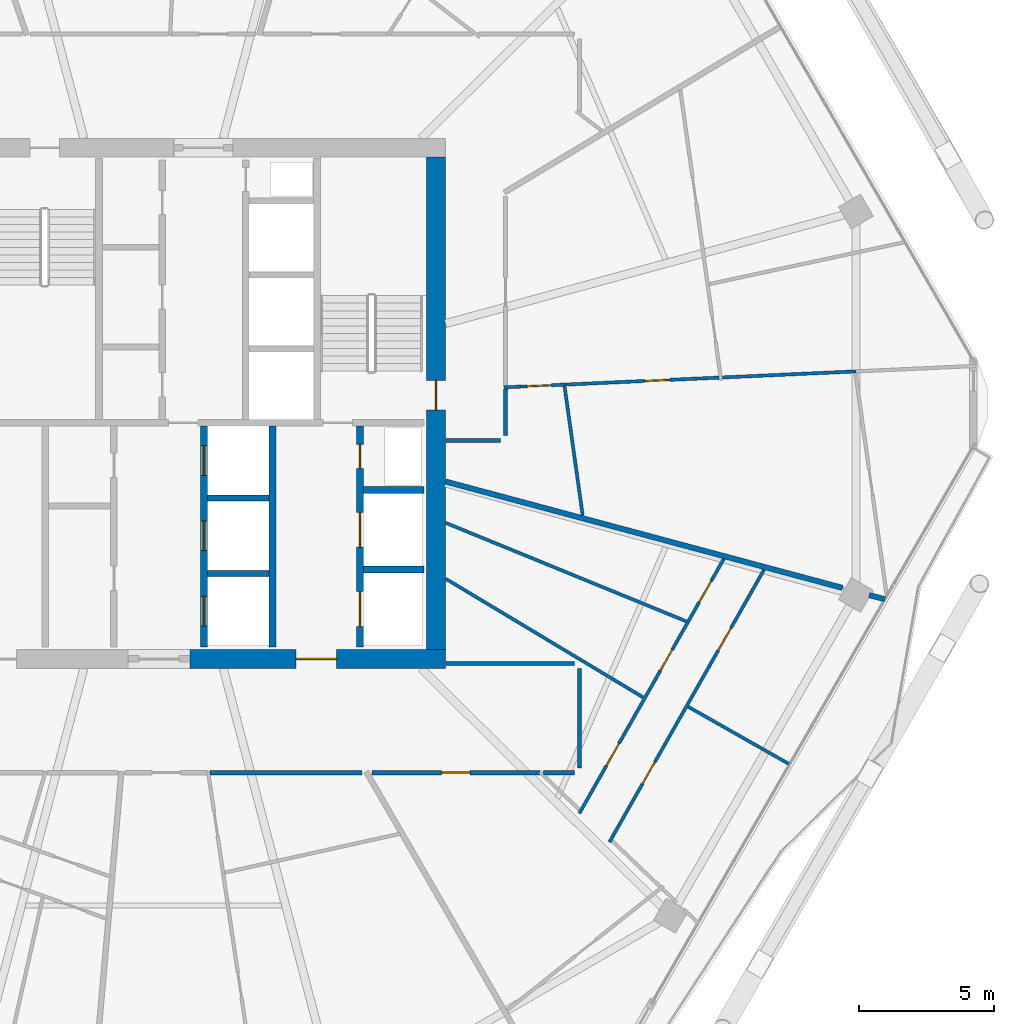
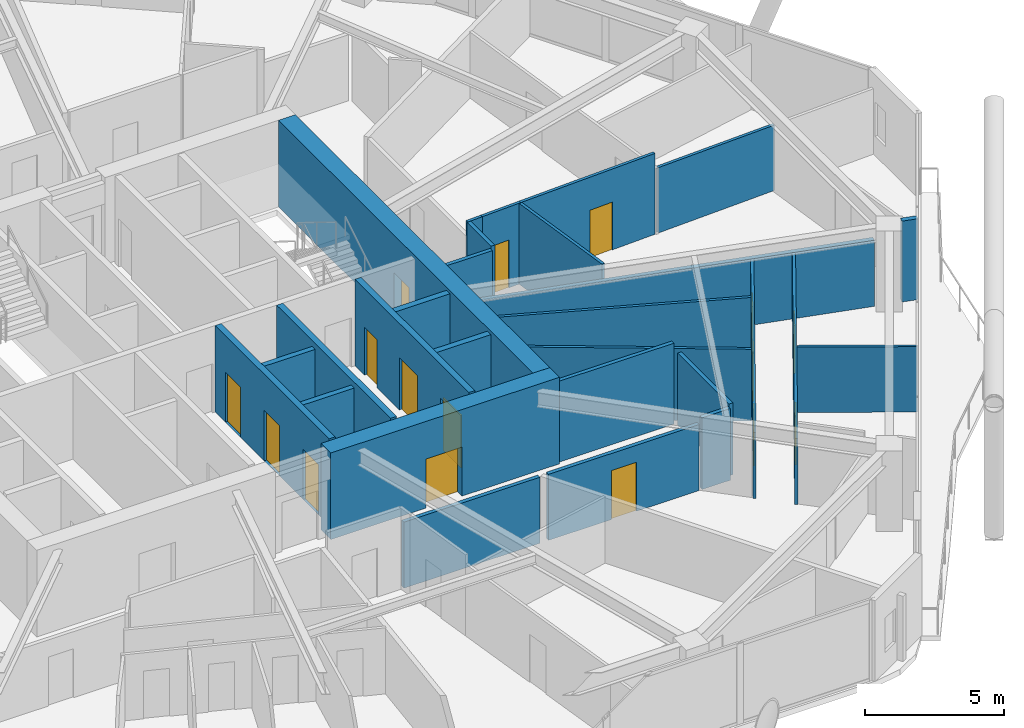
# One storey, part 22 of 28: 28 walls, 16 doors, 16 openings.
"""IFC4 building model written with IfcOpenShell, lengths in metres."""

from ifc_helpers import new_model, si_unit, direction, frame, frame_2d, origin, place, context, subcontext, project, spatial, rectangle, extrude, material, layer, layer_set, type_object, element, fill, save


model = new_model("IFC4")

# Units and contexts
model_context = context("Model", 3, precision=1e-05, world=origin(), true_north=direction((0.0, 1.0)))
body_context = subcontext(model_context, "Body", "Model", "MODEL_VIEW")
ifc_project = project(units=[si_unit("LENGTHUNIT", "METRE"), si_unit("AREAUNIT", "SQUARE_METRE"), si_unit("VOLUMEUNIT", "CUBIC_METRE"), si_unit("PLANEANGLEUNIT", "RADIAN"), si_unit("MASSUNIT", "GRAM", prefix="KILO")], contexts=[model_context])

# Site, building, storey
site_placement = place(None, origin())
site = spatial("IfcSite", under=ifc_project, at=site_placement, CompositionType="ELEMENT")
building_placement = place(site_placement, origin())
building = spatial("IfcBuilding", under=site, at=building_placement, Name="Zuhravey Tower", CompositionType="ELEMENT")
storey_placement = place(building_placement, frame((0.0, 0.0, 199.800048828125)))
storey = spatial("IfcBuildingStorey", under=building, at=storey_placement, Name="L50", CompositionType="ELEMENT", Elevation=199.800048828125)

# Wall, opening, door
ifc_material_1 = material(Name="Concrete C60/75", Category="concrete")
ifc_layer_1 = layer(ifc_material_1, 0.699951171875)
ifc_layer_set_1 = layer_set([ifc_layer_1], Name="Concrete C60/75")
wall_type_1 = type_object("IfcWallType", Name="Core Shear Wall 700", PredefinedType="SHEAR", material=ifc_layer_set_1)
wall_1_placement = place(storey_placement, frame((37.35009765625, 22.5, 0.0), z_axis=(0.0, 0.0, 1.0), x_axis=(1.0, 0.0, 0.0)))
wall_1 = element("IfcWall", 1, at=wall_1_placement, inside=storey, type_object=wall_type_1, Name="L50 South-East Core Shear Wall CW70", PredefinedType="SHEAR", context=body_context, shape_type="SweptSolid", body=[
    extrude(rectangle(XDim=9.5, YDim=0.699951171875, at=frame_2d((4.75, 0.0))), origin(), (0.0, 0.0, 1.0), 3.800048828125),
])
opening_1_placement = place(wall_1_placement, frame((3.949951171875, 0.0, 0.0)))
opening_1 = element("IfcOpeningElement", 2, at=opening_1_placement, cuts=wall_1, Name="Opening FFD1", PredefinedType="OPENING", context=body_context, shape_type="SweptSolid", body=[
    extrude(rectangle(XDim=1.5, YDim=2.14990234375, at=frame_2d((0.75, 1.074951171875))), frame((0.0, 0.362060546875, 0.0), z_axis=(0.0, -1.0, 0.0), x_axis=(1.0, 0.0, 0.0)), (0.0, 0.0, 1.0), 0.723876953125),
])
ifc_material_2 = material(Name="Galvanised fire-rated steel leaf", Category="steel")
door_type_1 = type_object("IfcDoorType", Name="Firefighting Lobby Double Door 1500x2150", OperationType="DOUBLE_DOOR_SINGLE_SWING", PredefinedType="DOOR", material=ifc_material_2)
door_1_placement = place(opening_1_placement, origin())
door_1 = element("IfcDoor", 3, at=door_1_placement, inside=storey, type_object=door_type_1, Name="L50 Firefighting Lobby East Door", OperationType="DOUBLE_DOOR_SINGLE_SWING", OverallHeight=2.14990234375, OverallWidth=1.5, PredefinedType="DOOR", context=body_context, shape_type="SweptSolid", body=[
    extrude(rectangle(XDim=1.5, YDim=2.14990234375, at=frame_2d((0.75, 1.074951171875))), frame((0.0, 0.02490234375, 0.0), z_axis=(0.0, -1.0, 0.0), x_axis=(1.0, 0.0, 0.0)), (0.0, 0.0, 1.0), 0.050048828125),
])
fill(opening_1, door_1)

wall_2_placement = place(storey_placement, frame((46.5, 22.85009765625, 0.0), z_axis=(0.0, 0.0, 1.0), x_axis=(0.0, 1.0, 0.0)))
wall_2 = element("IfcWall", 4, at=wall_2_placement, inside=storey, type_object=wall_type_1, Name="L50 East Core Shear Wall CW70", PredefinedType="SHEAR", context=body_context, shape_type="SweptSolid", body=[
    extrude(rectangle(XDim=18.2998046875, YDim=0.699951171875, at=frame_2d((9.14990234375, 0.0))), origin(), (0.0, 0.0, 1.0), 3.800048828125),
])
opening_2_placement = place(wall_2_placement, frame((8.89990234375, 0.0, 0.0)))
opening_2 = element("IfcOpeningElement", 5, at=opening_2_placement, cuts=wall_2, Name="Opening STD1", PredefinedType="OPENING", context=body_context, shape_type="SweptSolid", body=[
    extrude(rectangle(XDim=1.10009765625, YDim=2.14990234375, at=frame_2d((0.550048828125, 1.074951171875))), frame((0.0, 0.362060546875, 0.0), z_axis=(0.0, -1.0, 0.0), x_axis=(1.0, 0.0, 0.0)), (0.0, 0.0, 1.0), 0.723876953125),
])
door_type_2 = type_object("IfcDoorType", Name="Protected Stair Fire Door 1100x2150", OperationType="NOTDEFINED", PredefinedType="USERDEFINED", material=ifc_material_2)
door_2_placement = place(opening_2_placement, origin())
door_2 = element("IfcDoor", 6, at=door_2_placement, inside=storey, type_object=door_type_2, Name="L50 Stair ST2 Door", ObjectType="EXITDOOR", OperationType="SINGLE_SWING_RIGHT", OverallHeight=2.14990234375, OverallWidth=1.10009765625, PredefinedType="USERDEFINED", context=body_context, shape_type="SweptSolid", body=[
    extrude(rectangle(XDim=1.10009765625, YDim=2.14990234375, at=frame_2d((0.550048828125, 1.074951171875))), frame((0.0, 0.02490234375, 0.0), z_axis=(0.0, -1.0, 0.0), x_axis=(1.0, 0.0, 0.0)), (0.0, 0.0, 1.0), 0.050048828125),
])
fill(opening_2, door_2)

ifc_material_3 = material(Name="Gypsum fire-rated stud partition")
ifc_layer_2 = layer(ifc_material_3, 0.159912109375)
ifc_layer_set_2 = layer_set([ifc_layer_2], Name="Gypsum fire-rated stud partition")
wall_type_2 = type_object("IfcWallType", Name="Corridor Fire Partition 160", PredefinedType="PARTITIONING", material=ifc_layer_set_2)
wall_3_placement = place(storey_placement, frame((44.11083984375, 18.27001953125, 0.0), z_axis=(0.0, 0.0, 1.0), x_axis=(1.0, 0.0, 0.0)))
wall_3 = element("IfcWall", 7, at=wall_3_placement, inside=storey, type_object=wall_type_2, Name="L50 IW16 Partition 050", PredefinedType="PARTITIONING", context=body_context, shape_type="SweptSolid", body=[
    extrude(rectangle(XDim=6.248046875, YDim=0.159912109375, at=frame_2d((3.1240234375, 0.0))), origin(), (0.0, 0.0, 1.0), 2.89990234375),
])
opening_3_placement = place(wall_3_placement, frame((2.59912109375, 0.0, 0.0)))
opening_3 = element("IfcOpeningElement", 8, at=opening_3_placement, cuts=wall_3, Name="Opening APD1", PredefinedType="OPENING", context=body_context, shape_type="SweptSolid", body=[
    extrude(rectangle(XDim=1.050048828125, YDim=2.14990234375, at=frame_2d((0.52490234375, 1.074951171875))), frame((0.0, 0.092041015625, 0.0), z_axis=(0.0, -1.0, 0.0), x_axis=(1.0, 0.0, 0.0)), (0.0, 0.0, 1.0), 0.183837890625),
])
ifc_material_4 = material(Name="Solid-core oak fire-rated leaf")
door_type_3 = type_object("IfcDoorType", Name="Apartment Entrance Fire Door 1050x2150", OperationType="NOTDEFINED", PredefinedType="DOOR", material=ifc_material_4)
door_3_placement = place(opening_3_placement, frame((1.050048828125, 0.0, 0.0), z_axis=(0.0, 0.0, 1.0), x_axis=(-1.0, 0.0, 0.0)))
door_3 = element("IfcDoor", 9, at=door_3_placement, inside=storey, type_object=door_type_3, Name="L50 Door 050.1", OperationType="SINGLE_SWING_LEFT", OverallHeight=2.14990234375, OverallWidth=1.050048828125, PredefinedType="DOOR", context=body_context, shape_type="SweptSolid", body=[
    extrude(rectangle(XDim=1.050048828125, YDim=2.14990234375, at=frame_2d((0.52490234375, 1.074951171875))), frame((0.0, 0.02490234375, 0.0), z_axis=(0.0, -1.0, 0.0), x_axis=(1.0, 0.0, 0.0)), (0.0, 0.0, 1.0), 0.050048828125),
])
fill(opening_3, door_3)

# Walls
wall_4_placement = place(storey_placement, frame((38.10107421875, 18.27001953125, 0.0), z_axis=(0.0, 0.0, 1.0), x_axis=(1.0, 0.0, 0.0)))
element("IfcWall", 10, at=wall_4_placement, inside=storey, type_object=wall_type_2, Name="L50 IW16 Partition 134", PredefinedType="PARTITIONING", context=body_context, shape_type="SweptSolid", body=[
    extrude(rectangle(XDim=5.64404296875, YDim=0.159912109375, at=frame_2d((2.822021484375, 0.0))), origin(), (0.0, 0.0, 1.0), 2.89990234375),
])
wall_5_placement = place(storey_placement, frame((51.64990234375, 22.330078125, 0.0), z_axis=(0.0, 0.0, 1.0), x_axis=(-1.0, 0.0, 0.0)))
element("IfcWall", 11, at=wall_5_placement, inside=storey, type_object=wall_type_2, Name="L50 IW16 Partition 135", PredefinedType="PARTITIONING", context=body_context, shape_type="SweptSolid", body=[
    extrude(rectangle(XDim=4.77978515625, YDim=0.159912109375, at=frame_2d((2.389892578125, 0.0))), origin(), (0.0, 0.0, 1.0), 3.550048828125),
])
wall_6_placement = place(storey_placement, frame((51.830078125, 18.449951171875, 0.0), z_axis=(0.0, 0.0, 1.0), x_axis=(0.0, 1.0, 0.0)))
element("IfcWall", 12, at=wall_6_placement, inside=storey, type_object=wall_type_2, Name="L50 IW16 Partition 136", PredefinedType="PARTITIONING", context=body_context, shape_type="SweptSolid", body=[
    extrude(rectangle(XDim=3.699951171875, YDim=0.159912109375, at=frame_2d((1.85009765625, 0.0))), origin(), (0.0, 0.0, 1.0), 3.14990234375),
])
wall_7_placement = place(storey_placement, frame((50.486083984375, 18.27001953125, 0.0), z_axis=(0.0, 0.0, 1.0), x_axis=(1.0, 0.0, 0.0)))
element("IfcWall", 13, at=wall_7_placement, inside=storey, type_object=wall_type_2, Name="L50 IW16 Partition 137", PredefinedType="PARTITIONING", context=body_context, shape_type="SweptSolid", body=[
    extrude(rectangle(XDim=1.163818359375, YDim=0.159912109375, at=frame_2d((0.58203125, 0.0))), origin(), (0.0, 0.0, 1.0), 3.14990234375),
])
wall_8_placement = place(storey_placement, frame((46.8701171875, 30.6201171875, 0.0), z_axis=(0.0, 0.0, 1.0), x_axis=(1.0, 0.0, 0.0)))
element("IfcWall", 14, at=wall_8_placement, inside=storey, type_object=wall_type_2, Name="L50 IW16 Partition 138", PredefinedType="PARTITIONING", context=body_context, shape_type="SweptSolid", body=[
    extrude(rectangle(XDim=2.02978515625, YDim=0.159912109375, at=frame_2d((1.014892578125, 0.0))), origin(), (0.0, 0.0, 1.0), 3.550048828125),
])
wall_9_placement = place(storey_placement, frame((49.080078125, 30.800048828125, 0.0), z_axis=(0.0, 0.0, 1.0), x_axis=(0.0, 1.0, 0.0)))
element("IfcWall", 15, at=wall_9_placement, inside=storey, type_object=wall_type_2, Name="L50 IW16 Partition 139", PredefinedType="PARTITIONING", context=body_context, shape_type="SweptSolid", body=[
    extrude(rectangle(XDim=1.725830078125, YDim=0.159912109375, at=frame_2d((0.86279296875, 0.0))), origin(), (0.0, 0.0, 1.0), 3.550048828125),
])

# Wall, openings, doors
ifc_material_5 = material(Name="Concrete C50/60", Category="concrete")
ifc_layer_3 = layer(ifc_material_5, 0.25)
ifc_layer_set_3 = layer_set([ifc_layer_3], Name="Concrete C50/60")
wall_type_3 = type_object("IfcWallType", Name="Firefighting Shaft & Stair Wall 250", PredefinedType="SOLIDWALL", material=ifc_layer_set_3)
wall_10_placement = place(storey_placement, frame((37.875, 22.949951171875, 0.0), z_axis=(0.0, 0.0, 1.0), x_axis=(0.0, 1.0, 0.0)))
wall_10 = element("IfcWall", 16, at=wall_10_placement, inside=storey, type_object=wall_type_3, Name="L50 FW25 Shaft Wall 014", PredefinedType="SOLIDWALL", context=body_context, shape_type="SweptSolid", body=[
    extrude(rectangle(XDim=8.199951171875, YDim=0.25, at=frame_2d((4.10009765625, 0.0))), origin(), (0.0, 0.0, 1.0), 3.800048828125),
])
opening_4_placement = place(wall_10_placement, frame((0.77490234375, 0.0, 0.0)))
opening_4 = element("IfcOpeningElement", 17, at=opening_4_placement, cuts=wall_10, Name="Opening LD1", PredefinedType="OPENING", context=body_context, shape_type="SweptSolid", body=[
    extrude(rectangle(XDim=1.10009765625, YDim=2.199951171875, at=frame_2d((0.550048828125, 1.10009765625))), frame((0.0, 0.136962890625, 0.0), z_axis=(0.0, -1.0, 0.0), x_axis=(1.0, 0.0, 0.0)), (0.0, 0.0, 1.0), 0.27392578125),
])
opening_5_placement = place(wall_10_placement, frame((3.574951171875, 0.0, 0.0)))
opening_5 = element("IfcOpeningElement", 18, at=opening_5_placement, cuts=wall_10, Name="Opening LD1", PredefinedType="OPENING", context=body_context, shape_type="SweptSolid", body=[
    extrude(rectangle(XDim=1.10009765625, YDim=2.199951171875, at=frame_2d((0.550048828125, 1.10009765625))), frame((0.0, 0.136962890625, 0.0), z_axis=(0.0, -1.0, 0.0), x_axis=(1.0, 0.0, 0.0)), (0.0, 0.0, 1.0), 0.27392578125),
])
opening_6_placement = place(wall_10_placement, frame((6.375, 0.0, 0.0)))
opening_6 = element("IfcOpeningElement", 19, at=opening_6_placement, cuts=wall_10, Name="Opening LD1", PredefinedType="OPENING", context=body_context, shape_type="SweptSolid", body=[
    extrude(rectangle(XDim=1.10009765625, YDim=2.199951171875, at=frame_2d((0.550048828125, 1.10009765625))), frame((0.0, 0.136962890625, 0.0), z_axis=(0.0, -1.0, 0.0), x_axis=(1.0, 0.0, 0.0)), (0.0, 0.0, 1.0), 0.27392578125),
])
ifc_material_6 = material(Name="Brushed stainless steel", Category="steel")
door_type_4 = type_object("IfcDoorType", Name="Lift Landing Sliding Door 1100x2200", OperationType="DOUBLE_DOOR_SLIDING", PredefinedType="DOOR", material=ifc_material_6)
door_4_placement = place(opening_4_placement, origin())
door_4 = element("IfcDoor", 20, at=door_4_placement, inside=storey, type_object=door_type_4, Name="L50 Lift PL4 Landing Door", OperationType="DOUBLE_DOOR_SLIDING", OverallHeight=2.199951171875, OverallWidth=1.10009765625, PredefinedType="DOOR", context=body_context, shape_type="SweptSolid", body=[
    extrude(rectangle(XDim=1.10009765625, YDim=2.199951171875, at=frame_2d((0.550048828125, 1.10009765625))), frame((0.0, 0.02490234375, 0.0), z_axis=(0.0, -1.0, 0.0), x_axis=(1.0, 0.0, 0.0)), (0.0, 0.0, 1.0), 0.050048828125),
])
fill(opening_4, door_4)
door_5_placement = place(opening_5_placement, origin())
door_5 = element("IfcDoor", 21, at=door_5_placement, inside=storey, type_object=door_type_4, Name="L50 Lift PL5 Landing Door", OperationType="DOUBLE_DOOR_SLIDING", OverallHeight=2.199951171875, OverallWidth=1.10009765625, PredefinedType="DOOR", context=body_context, shape_type="SweptSolid", body=[
    extrude(rectangle(XDim=1.10009765625, YDim=2.199951171875, at=frame_2d((0.550048828125, 1.10009765625))), frame((0.0, 0.02490234375, 0.0), z_axis=(0.0, -1.0, 0.0), x_axis=(1.0, 0.0, 0.0)), (0.0, 0.0, 1.0), 0.050048828125),
])
fill(opening_5, door_5)
door_6_placement = place(opening_6_placement, origin())
door_6 = element("IfcDoor", 22, at=door_6_placement, inside=storey, type_object=door_type_4, Name="L50 Lift PL6 Landing Door", OperationType="DOUBLE_DOOR_SLIDING", OverallHeight=2.199951171875, OverallWidth=1.10009765625, PredefinedType="DOOR", context=body_context, shape_type="SweptSolid", body=[
    extrude(rectangle(XDim=1.10009765625, YDim=2.199951171875, at=frame_2d((0.550048828125, 1.10009765625))), frame((0.0, 0.02490234375, 0.0), z_axis=(0.0, -1.0, 0.0), x_axis=(1.0, 0.0, 0.0)), (0.0, 0.0, 1.0), 0.050048828125),
])
fill(opening_6, door_6)

# Walls
wall_11_placement = place(storey_placement, frame((40.425048828125, 22.949951171875, 0.0), z_axis=(0.0, 0.0, 1.0), x_axis=(0.0, 1.0, 0.0)))
element("IfcWall", 23, at=wall_11_placement, inside=storey, type_object=wall_type_3, Name="L50 FW25 Shaft Wall 015", PredefinedType="SOLIDWALL", context=body_context, shape_type="SweptSolid", body=[
    extrude(rectangle(XDim=8.199951171875, YDim=0.25, at=frame_2d((4.10009765625, 0.0))), origin(), (0.0, 0.0, 1.0), 3.800048828125),
])
for number, where, z_axis, x_axis, name in (
    (24, (43.800048828125, 25.824951171875, 0.0), (0.0, 0.0, 1.0), (1.0, 0.0, 0.0), "L50 FW25 Shaft Wall 016"),
    (25, (43.800048828125, 28.77490234375, 0.0), (0.0, 0.0, 1.0), (1.0, 0.0, 0.0), "L50 FW25 Shaft Wall 017"),
):
    element("IfcWall", number, at=place(storey_placement, frame(where, z_axis=z_axis, x_axis=x_axis)), inside=storey, type_object=wall_type_3, Name=name, PredefinedType="SOLIDWALL", context=body_context, shape_type="SweptSolid", body=[
        extrude(rectangle(XDim=2.25, YDim=0.25, at=frame_2d((1.125, 0.0))), origin(), (0.0, 0.0, 1.0), 3.800048828125),
    ])

# Wall, openings, doors
wall_12_placement = place(storey_placement, frame((43.675048828125, 22.949951171875, 0.0), z_axis=(0.0, 0.0, 1.0), x_axis=(0.0, 1.0, 0.0)))
wall_12 = element("IfcWall", 26, at=wall_12_placement, inside=storey, type_object=wall_type_3, Name="L50 FW25 Shaft Wall 018", PredefinedType="SOLIDWALL", context=body_context, shape_type="SweptSolid", body=[
    extrude(rectangle(XDim=8.199951171875, YDim=0.25, at=frame_2d((4.10009765625, 0.0))), origin(), (0.0, 0.0, 1.0), 3.800048828125),
])
opening_7_placement = place(wall_12_placement, frame((0.75, 0.0, 0.0)))
opening_7 = element("IfcOpeningElement", 27, at=opening_7_placement, cuts=wall_12, Name="Opening LD2", PredefinedType="OPENING", context=body_context, shape_type="SweptSolid", body=[
    extrude(rectangle(XDim=1.300048828125, YDim=2.300048828125, at=frame_2d((0.64990234375, 1.14990234375))), frame((0.0, 0.136962890625, 0.0), z_axis=(0.0, -1.0, 0.0), x_axis=(1.0, 0.0, 0.0)), (0.0, 0.0, 1.0), 0.27392578125),
])
opening_8_placement = place(wall_12_placement, frame((3.699951171875, 0.0, 0.0)))
opening_8 = element("IfcOpeningElement", 28, at=opening_8_placement, cuts=wall_12, Name="Opening LD2", PredefinedType="OPENING", context=body_context, shape_type="SweptSolid", body=[
    extrude(rectangle(XDim=1.300048828125, YDim=2.300048828125, at=frame_2d((0.64990234375, 1.14990234375))), frame((0.0, 0.136962890625, 0.0), z_axis=(0.0, -1.0, 0.0), x_axis=(1.0, 0.0, 0.0)), (0.0, 0.0, 1.0), 0.27392578125),
])
opening_9_placement = place(wall_12_placement, frame((6.6201171875, 0.0, 0.0)))
opening_9 = element("IfcOpeningElement", 29, at=opening_9_placement, cuts=wall_12, Name="Opening RSD1", PredefinedType="OPENING", context=body_context, shape_type="SweptSolid", body=[
    extrude(rectangle(XDim=0.89990234375, YDim=2.10009765625, at=frame_2d((0.449951171875, 1.050048828125))), frame((0.0, 0.136962890625, 0.0), z_axis=(0.0, -1.0, 0.0), x_axis=(1.0, 0.0, 0.0)), (0.0, 0.0, 1.0), 0.27392578125),
])
door_type_5 = type_object("IfcDoorType", Name="Freight & Stretcher Lift Sliding Door 1300x2300", OperationType="DOUBLE_DOOR_SLIDING", PredefinedType="DOOR", material=ifc_material_6)
door_7_placement = place(opening_7_placement, origin())
door_7 = element("IfcDoor", 30, at=door_7_placement, inside=storey, type_object=door_type_5, Name="L50 Lift FF2 Landing Door", OperationType="DOUBLE_DOOR_SLIDING", OverallHeight=2.300048828125, OverallWidth=1.300048828125, PredefinedType="DOOR", context=body_context, shape_type="SweptSolid", body=[
    extrude(rectangle(XDim=1.300048828125, YDim=2.300048828125, at=frame_2d((0.64990234375, 1.14990234375))), frame((0.0, 0.02490234375, 0.0), z_axis=(0.0, -1.0, 0.0), x_axis=(1.0, 0.0, 0.0)), (0.0, 0.0, 1.0), 0.050048828125),
])
fill(opening_7, door_7)
door_8_placement = place(opening_8_placement, origin())
door_8 = element("IfcDoor", 31, at=door_8_placement, inside=storey, type_object=door_type_5, Name="L50 Lift SV1 Landing Door", OperationType="DOUBLE_DOOR_SLIDING", OverallHeight=2.300048828125, OverallWidth=1.300048828125, PredefinedType="DOOR", context=body_context, shape_type="SweptSolid", body=[
    extrude(rectangle(XDim=1.300048828125, YDim=2.300048828125, at=frame_2d((0.64990234375, 1.14990234375))), frame((0.0, 0.02490234375, 0.0), z_axis=(0.0, -1.0, 0.0), x_axis=(1.0, 0.0, 0.0)), (0.0, 0.0, 1.0), 0.050048828125),
])
fill(opening_8, door_8)
ifc_material_7 = material(Name="Galvanised fire-rated steel access leaf", Category="steel")
door_type_6 = type_object("IfcDoorType", Name="Riser & Shaft Access Fire Door 900x2100", OperationType="NOTDEFINED", PredefinedType="DOOR", material=ifc_material_7)
door_9_placement = place(opening_9_placement, origin())
door_9 = element("IfcDoor", 32, at=door_9_placement, inside=storey, type_object=door_type_6, Name="L50 Plumbing Riser Door", OperationType="SINGLE_SWING_LEFT", OverallHeight=2.10009765625, OverallWidth=0.89990234375, PredefinedType="DOOR", context=body_context, shape_type="SweptSolid", body=[
    extrude(rectangle(XDim=0.89990234375, YDim=2.10009765625, at=frame_2d((0.449951171875, 1.050048828125))), frame((0.0, 0.02490234375, 0.0), z_axis=(0.0, -1.0, 0.0), x_axis=(1.0, 0.0, 0.0)), (0.0, 0.0, 1.0), 0.050048828125),
])
fill(opening_9, door_9)

# Walls
ifc_material_8 = material(Name="Gypsum double-stud party assembly")
ifc_layer_4 = layer(ifc_material_8, 0.199951171875)
ifc_layer_set_4 = layer_set([ifc_layer_4], Name="Gypsum double-stud party assembly")
wall_type_4 = type_object("IfcWallType", Name="Inter-Tenancy Party Wall 200", PredefinedType="PARTITIONING", material=ifc_layer_set_4)
wall_13_placement = place(storey_placement, frame((46.85791015625, 29.090576171875, 0.0), z_axis=(0.0, 0.0, 1.0), x_axis=(0.965927861862, -0.25881144812, 0.0)))
element("IfcWall", 33, at=wall_13_placement, inside=storey, type_object=wall_type_4, Name="L50 IW20 Partition 113", PredefinedType="PARTITIONING", context=body_context, shape_type="SweptSolid", body=[
    extrude(rectangle(XDim=15.275146484375, YDim=0.199951171875, at=frame_2d((7.6376953125, 0.0))), origin(), (0.0, 0.0, 1.0), 2.89990234375),
])
wall_14_placement = place(storey_placement, frame((62.6025390625, 24.871826171875, 0.0), z_axis=(0.0, 0.0, 1.0), x_axis=(0.965944425699, -0.258749621182, 0.0)))
element("IfcWall", 34, at=wall_14_placement, inside=storey, type_object=wall_type_4, Name="L50 IW20 Partition 114", PredefinedType="PARTITIONING", context=body_context, shape_type="SweptSolid", body=[
    extrude(rectangle(XDim=0.60107421875, YDim=0.199951171875, at=frame_2d((0.300537109375, 0.0))), origin(), (0.0, 0.0, 1.0), 3.550048828125),
])
ifc_material_9 = material(Name="Gypsum acoustic stud assembly")
ifc_layer_5 = layer(ifc_material_9, 0.219970703125)
ifc_layer_set_5 = layer_set([ifc_layer_5], Name="Gypsum acoustic stud assembly")
wall_type_5 = type_object("IfcWallType", Name="School Acoustic Compartment Wall 220", PredefinedType="PARTITIONING", material=ifc_layer_set_5)
for number, where, z_axis, x_axis, name in (
    (35, (38.008056640625, 25.675048828125, 0.0), (0.0, 0.0, 1.0), (1.0, 0.0, 0.0), "L50 IW22 Partition 063"),
    (36, (38.008056640625, 28.47509765625, 0.0), (0.0, 0.0, 1.0), (1.0, 0.0, 0.0), "L50 IW22 Partition 064"),
):
    element("IfcWall", number, at=place(storey_placement, frame(where, z_axis=z_axis, x_axis=x_axis)), inside=storey, type_object=wall_type_5, Name=name, PredefinedType="PARTITIONING", context=body_context, shape_type="SweptSolid", body=[
        extrude(rectangle(XDim=2.283935546875, YDim=0.219970703125, at=frame_2d((1.14208984375, 0.0))), origin(), (0.0, 0.0, 1.0), 3.550048828125),
    ])

# Wall, openings, doors
ifc_material_10 = material(Name="Gypsum metal-stud partition")
ifc_layer_6 = layer(ifc_material_10, 0.1201171875)
ifc_layer_set_6 = layer_set([ifc_layer_6], Name="Gypsum metal-stud partition")
wall_type_6 = type_object("IfcWallType", Name="Unit Internal Partition 120", PredefinedType="PARTITIONING", material=ifc_layer_set_6)
wall_15_placement = place(storey_placement, frame((51.8271484375, 16.75830078125, 0.0), z_axis=(0.0, 0.0, 1.0), x_axis=(0.493634405262, 0.869669519957, 0.0)))
wall_15 = element("IfcWall", 37, at=wall_15_placement, inside=storey, type_object=wall_type_6, Name="L50 IW12 Partition 048", PredefinedType="PARTITIONING", context=body_context, shape_type="SweptSolid", body=[
    extrude(rectangle(XDim=10.884765625, YDim=0.1201171875, at=frame_2d((5.4423828125, 0.0))), origin(), (0.0, 0.0, 1.0), 2.89990234375),
])
opening_10_placement = place(wall_15_placement, frame((2.0361328125, 0.0, 0.0)))
opening_10 = element("IfcOpeningElement", 38, at=opening_10_placement, cuts=wall_15, Name="Opening IND1", PredefinedType="OPENING", context=body_context, shape_type="SweptSolid", body=[
    extrude(rectangle(XDim=0.949951171875, YDim=2.10009765625, at=frame_2d((0.47509765625, 1.050048828125))), frame((0.0, 0.072021484375, 0.0), z_axis=(0.0, -1.0, 0.0), x_axis=(1.0, 0.0, 0.0)), (0.0, 0.0, 1.0), 0.14404296875),
])
opening_11_placement = place(wall_15_placement, frame((6.098388671875, 0.0, 0.0)))
opening_11 = element("IfcOpeningElement", 39, at=opening_11_placement, cuts=wall_15, Name="Opening WCD1", PredefinedType="OPENING", context=body_context, shape_type="SweptSolid", body=[
    extrude(rectangle(XDim=0.89990234375, YDim=2.10009765625, at=frame_2d((0.449951171875, 1.050048828125))), frame((0.0, 0.072021484375, 0.0), z_axis=(0.0, -1.0, 0.0), x_axis=(1.0, 0.0, 0.0)), (0.0, 0.0, 1.0), 0.14404296875),
])
opening_12_placement = place(wall_15_placement, frame((9.029296875, 0.0, 0.0)))
opening_12 = element("IfcOpeningElement", 40, at=opening_12_placement, cuts=wall_15, Name="Opening WCD1", PredefinedType="OPENING", context=body_context, shape_type="SweptSolid", body=[
    extrude(rectangle(XDim=0.89990234375, YDim=2.10009765625, at=frame_2d((0.449951171875, 1.050048828125))), frame((0.0, 0.072021484375, 0.0), z_axis=(0.0, -1.0, 0.0), x_axis=(1.0, 0.0, 0.0)), (0.0, 0.0, 1.0), 0.14404296875),
])
ifc_material_11 = material(Name="Moisture-resistant timber leaf", Category="wood")
door_type_7 = type_object("IfcDoorType", Name="Bathroom & WC Internal Door 900x2100", OperationType="NOTDEFINED", PredefinedType="DOOR", material=ifc_material_11)
door_10_placement = place(opening_11_placement, origin())
door_10 = element("IfcDoor", 41, at=door_10_placement, inside=storey, type_object=door_type_7, Name="Apartment L50-08 Bathroom 1 Door", OperationType="SINGLE_SWING_LEFT", OverallHeight=2.10009765625, OverallWidth=0.89990234375, PredefinedType="DOOR", context=body_context, shape_type="SweptSolid", body=[
    extrude(rectangle(XDim=0.89990234375, YDim=2.10009765625, at=frame_2d((0.449951171875, 1.050048828125))), frame((0.0, 0.02490234375, 0.0), z_axis=(0.0, -1.0, 0.0), x_axis=(1.0, 0.0, 0.0)), (0.0, 0.0, 1.0), 0.050048828125),
])
fill(opening_11, door_10)
door_11_placement = place(opening_12_placement, origin())
door_11 = element("IfcDoor", 42, at=door_11_placement, inside=storey, type_object=door_type_7, Name="Apartment L50-08 Bathroom 2 Door", OperationType="SINGLE_SWING_RIGHT", OverallHeight=2.10009765625, OverallWidth=0.89990234375, PredefinedType="DOOR", context=body_context, shape_type="SweptSolid", body=[
    extrude(rectangle(XDim=0.89990234375, YDim=2.10009765625, at=frame_2d((0.449951171875, 1.050048828125))), frame((0.0, 0.02490234375, 0.0), z_axis=(0.0, -1.0, 0.0), x_axis=(1.0, 0.0, 0.0)), (0.0, 0.0, 1.0), 0.050048828125),
])
fill(opening_12, door_11)
ifc_material_12 = material(Name="Painted engineered timber leaf", Category="wood")
door_type_8 = type_object("IfcDoorType", Name="Internal Room & Bedroom Door 950x2100", OperationType="NOTDEFINED", PredefinedType="DOOR", material=ifc_material_12)
door_12_placement = place(opening_10_placement, origin())
door_12 = element("IfcDoor", 43, at=door_12_placement, inside=storey, type_object=door_type_8, Name="Apartment L50-08 Kitchen Door", OperationType="SINGLE_SWING_RIGHT", OverallHeight=2.10009765625, OverallWidth=0.949951171875, PredefinedType="DOOR", context=body_context, shape_type="SweptSolid", body=[
    extrude(rectangle(XDim=0.949951171875, YDim=2.10009765625, at=frame_2d((0.47509765625, 1.050048828125))), frame((0.0, 0.02490234375, 0.0), z_axis=(0.0, -1.0, 0.0), x_axis=(1.0, 0.0, 0.0)), (0.0, 0.0, 1.0), 0.050048828125),
])
fill(opening_10, door_12)

wall_16_placement = place(storey_placement, frame((52.94580078125, 15.690673828125, 0.0), z_axis=(0.0, 0.0, 1.0), x_axis=(0.493647118533, 0.869662303635, 0.0)))
wall_16 = element("IfcWall", 44, at=wall_16_placement, inside=storey, type_object=wall_type_6, Name="L50 IW12 Partition 049", PredefinedType="PARTITIONING", context=body_context, shape_type="SweptSolid", body=[
    extrude(rectangle(XDim=11.63720703125, YDim=0.1201171875, at=frame_2d((5.818603515625, 0.0))), origin(), (0.0, 0.0, 1.0), 2.89990234375),
])
opening_13_placement = place(wall_16_placement, frame((2.484375, 0.0, 0.0)))
opening_13 = element("IfcOpeningElement", 45, at=opening_13_placement, cuts=wall_16, Name="Opening IND1", PredefinedType="OPENING", context=body_context, shape_type="SweptSolid", body=[
    extrude(rectangle(XDim=0.949951171875, YDim=2.10009765625, at=frame_2d((0.47509765625, 1.050048828125))), frame((0.0, 0.072021484375, 0.0), z_axis=(0.0, -1.0, 0.0), x_axis=(1.0, 0.0, 0.0)), (0.0, 0.0, 1.0), 0.14404296875),
])
opening_14_placement = place(wall_16_placement, frame((8.202880859375, 0.0, 0.0)))
opening_14 = element("IfcOpeningElement", 46, at=opening_14_placement, cuts=wall_16, Name="Opening IND1", PredefinedType="OPENING", context=body_context, shape_type="SweptSolid", body=[
    extrude(rectangle(XDim=0.949951171875, YDim=2.10009765625, at=frame_2d((0.47509765625, 1.050048828125))), frame((0.0, 0.072021484375, 0.0), z_axis=(0.0, -1.0, 0.0), x_axis=(1.0, 0.0, 0.0)), (0.0, 0.0, 1.0), 0.14404296875),
])
door_13_placement = place(opening_13_placement, frame((0.949951171875, 0.0, 0.0), z_axis=(0.0, 0.0, 1.0), x_axis=(-1.0, 0.0, 0.0)))
door_13 = element("IfcDoor", 47, at=door_13_placement, inside=storey, type_object=door_type_8, Name="Apartment L50-08 Bedroom 1 Door", OperationType="SINGLE_SWING_LEFT", OverallHeight=2.10009765625, OverallWidth=0.949951171875, PredefinedType="DOOR", context=body_context, shape_type="SweptSolid", body=[
    extrude(rectangle(XDim=0.949951171875, YDim=2.10009765625, at=frame_2d((0.47509765625, 1.050048828125))), frame((0.0, 0.02490234375, 0.0), z_axis=(0.0, -1.0, 0.0), x_axis=(1.0, 0.0, 0.0)), (0.0, 0.0, 1.0), 0.050048828125),
])
fill(opening_13, door_13)
door_14_placement = place(opening_14_placement, frame((0.949951171875, 0.0, 0.0), z_axis=(0.0, 0.0, 1.0), x_axis=(-1.0, 0.0, 0.0)))
door_14 = element("IfcDoor", 48, at=door_14_placement, inside=storey, type_object=door_type_8, Name="Apartment L50-08 Bedroom 2 Door", OperationType="SINGLE_SWING_RIGHT", OverallHeight=2.10009765625, OverallWidth=0.949951171875, PredefinedType="DOOR", context=body_context, shape_type="SweptSolid", body=[
    extrude(rectangle(XDim=0.949951171875, YDim=2.10009765625, at=frame_2d((0.47509765625, 1.050048828125))), frame((0.0, 0.02490234375, 0.0), z_axis=(0.0, -1.0, 0.0), x_axis=(1.0, 0.0, 0.0)), (0.0, 0.0, 1.0), 0.050048828125),
])
fill(opening_14, door_14)

# Wall, opening, door
wall_17_placement = place(storey_placement, frame((49.64990234375, 32.619873046875, 0.0), z_axis=(0.0, 0.0, 1.0), x_axis=(0.998968234181, 0.045414393056, 0.0)))
wall_17 = element("IfcWall", 49, at=wall_17_placement, inside=storey, type_object=wall_type_6, Name="L50 IW12 Partition 052", PredefinedType="PARTITIONING", context=body_context, shape_type="SweptSolid", body=[
    extrude(rectangle(XDim=1.64501953125, YDim=0.1201171875, at=frame_2d((0.822509765625, 0.0))), origin(), (0.0, 0.0, 1.0), 3.550048828125),
])
opening_15_placement = place(wall_17_placement, frame((0.24072265625, 0.0, 0.0)))
opening_15 = element("IfcOpeningElement", 50, at=opening_15_placement, cuts=wall_17, Name="Opening WCD1", PredefinedType="OPENING", context=body_context, shape_type="SweptSolid", body=[
    extrude(rectangle(XDim=0.89990234375, YDim=2.10009765625, at=frame_2d((0.449951171875, 1.050048828125))), frame((0.0, 0.072021484375, 0.0), z_axis=(0.0, -1.0, 0.0), x_axis=(1.0, 0.0, 0.0)), (0.0, 0.0, 1.0), 0.14404296875),
])
door_15_placement = place(opening_15_placement, frame((0.89990234375, 0.0, 0.0), z_axis=(0.0, 0.0, 1.0), x_axis=(-1.0, 0.0, 0.0)))
door_15 = element("IfcDoor", 51, at=door_15_placement, inside=storey, type_object=door_type_7, Name="Apartment L50-09 Bathroom Door", OperationType="SINGLE_SWING_RIGHT", OverallHeight=2.10009765625, OverallWidth=0.89990234375, PredefinedType="DOOR", context=body_context, shape_type="SweptSolid", body=[
    extrude(rectangle(XDim=0.89990234375, YDim=2.10009765625, at=frame_2d((0.449951171875, 1.050048828125))), frame((0.0, 0.02490234375, 0.0), z_axis=(0.0, -1.0, 0.0), x_axis=(1.0, 0.0, 0.0)), (0.0, 0.0, 1.0), 0.050048828125),
])
fill(opening_15, door_15)

wall_18_placement = place(storey_placement, frame((51.293212890625, 32.694580078125, 0.0), z_axis=(0.0, 0.0, 1.0), x_axis=(0.99897231705, 0.045324494132, 0.0)))
wall_18 = element("IfcWall", 52, at=wall_18_placement, inside=storey, type_object=wall_type_6, Name="L50 IW12 Partition 053", PredefinedType="PARTITIONING", context=body_context, shape_type="SweptSolid", body=[
    extrude(rectangle(XDim=5.725830078125, YDim=0.1201171875, at=frame_2d((2.86279296875, 0.0))), origin(), (0.0, 0.0, 1.0), 3.550048828125),
])
opening_16_placement = place(wall_18_placement, frame((2.955078125, 0.0, 0.0)))
opening_16 = element("IfcOpeningElement", 53, at=opening_16_placement, cuts=wall_18, Name="Opening IND1", PredefinedType="OPENING", context=body_context, shape_type="SweptSolid", body=[
    extrude(rectangle(XDim=0.949951171875, YDim=2.10009765625, at=frame_2d((0.47509765625, 1.050048828125))), frame((0.0, 0.072021484375, 0.0), z_axis=(0.0, -1.0, 0.0), x_axis=(1.0, 0.0, 0.0)), (0.0, 0.0, 1.0), 0.14404296875),
])
door_16_placement = place(opening_16_placement, frame((0.949951171875, 0.0, 0.0), z_axis=(0.0, 0.0, 1.0), x_axis=(-1.0, 0.0, 0.0)))
door_16 = element("IfcDoor", 54, at=door_16_placement, inside=storey, type_object=door_type_8, Name="Apartment L50-09 Home Office Door", OperationType="SINGLE_SWING_LEFT", OverallHeight=2.10009765625, OverallWidth=0.949951171875, PredefinedType="DOOR", context=body_context, shape_type="SweptSolid", body=[
    extrude(rectangle(XDim=0.949951171875, YDim=2.10009765625, at=frame_2d((0.47509765625, 1.050048828125))), frame((0.0, 0.02490234375, 0.0), z_axis=(0.0, -1.0, 0.0), x_axis=(1.0, 0.0, 0.0)), (0.0, 0.0, 1.0), 0.050048828125),
])
fill(opening_16, door_16)

# Walls
wall_19_placement = place(storey_placement, frame((57.149658203125, 32.96044921875, 0.0), z_axis=(0.0, 0.0, 1.0), x_axis=(0.998970871776, 0.04535633741, 0.0)))
element("IfcWall", 55, at=wall_19_placement, inside=storey, type_object=wall_type_6, Name="L50 IW12 Partition 054", PredefinedType="PARTITIONING", context=body_context, shape_type="SweptSolid", body=[
    extrude(rectangle(XDim=4.962890625, YDim=0.1201171875, at=frame_2d((2.4814453125, 0.0))), origin(), (0.0, 0.0, 1.0), 2.869873046875),
])
wall_20_placement = place(storey_placement, frame((46.85791015625, 25.47900390625, 0.0), z_axis=(0.0, 0.0, 1.0), x_axis=(0.857273931948, -0.514860569089, 0.0)))
element("IfcWall", 56, at=wall_20_placement, inside=storey, type_object=wall_type_6, Name="L50 IW12 Partition 106", PredefinedType="PARTITIONING", context=body_context, shape_type="SweptSolid", body=[
    extrude(rectangle(XDim=8.56103515625, YDim=0.1201171875, at=frame_2d((4.280517578125, 0.0))), origin(), (0.0, 0.0, 1.0), 3.14990234375),
])
wall_21_placement = place(storey_placement, frame((46.85791015625, 27.555908203125, 0.0), z_axis=(0.0, 0.0, 1.0), x_axis=(0.925490196585, -0.378771561795, 0.0)))
element("IfcWall", 57, at=wall_21_placement, inside=storey, type_object=wall_type_6, Name="L50 IW12 Partition 107", PredefinedType="PARTITIONING", context=body_context, shape_type="SweptSolid", body=[
    extrude(rectangle(XDim=9.66259765625, YDim=0.1201171875, at=frame_2d((4.831298828125, 0.0))), origin(), (0.0, 0.0, 1.0), 3.14990234375),
])
wall_22_placement = place(storey_placement, frame((55.87744140625, 20.71728515625, 0.0), z_axis=(0.0, 0.0, 1.0), x_axis=(0.869673507185, -0.493627380623, 0.0)))
element("IfcWall", 58, at=wall_22_placement, inside=storey, type_object=wall_type_6, Name="L50 IW12 Partition 108", PredefinedType="PARTITIONING", context=body_context, shape_type="SweptSolid", body=[
    extrude(rectangle(XDim=4.33740234375, YDim=0.1201171875, at=frame_2d((2.168701171875, 0.0))), origin(), (0.0, 0.0, 1.0), 2.869873046875),
])
wall_23_placement = place(storey_placement, frame((49.034912109375, 32.591796875, 0.0), z_axis=(0.0, 0.0, 1.0), x_axis=(0.998959526244, 0.045605536133, 0.0)))
element("IfcWall", 59, at=wall_23_placement, inside=storey, type_object=wall_type_6, Name="L50 IW12 Partition 116", PredefinedType="PARTITIONING", context=body_context, shape_type="SweptSolid", body=[
    extrude(rectangle(XDim=0.61572265625, YDim=0.1201171875, at=frame_2d((0.307861328125, 0.0))), origin(), (0.0, 0.0, 1.0), 3.550048828125),
])
wall_24_placement = place(storey_placement, frame((51.950439453125, 27.837890625, 0.0), z_axis=(0.0, 0.0, 1.0), x_axis=(-0.139165856078, 0.990269086916, 0.0)))
element("IfcWall", 60, at=wall_24_placement, inside=storey, type_object=wall_type_6, Name="L50 IW12 Partition 118", PredefinedType="PARTITIONING", context=body_context, shape_type="SweptSolid", body=[
    extrude(rectangle(XDim=4.8349609375, YDim=0.1201171875, at=frame_2d((2.41748046875, 0.0))), origin(), (0.0, 0.0, 1.0), 3.550048828125),
])

save(model, "model.ifc")
